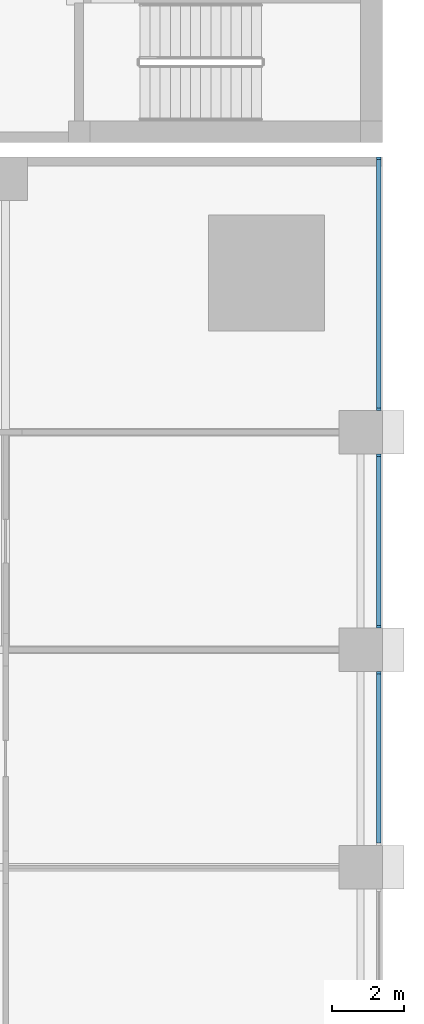
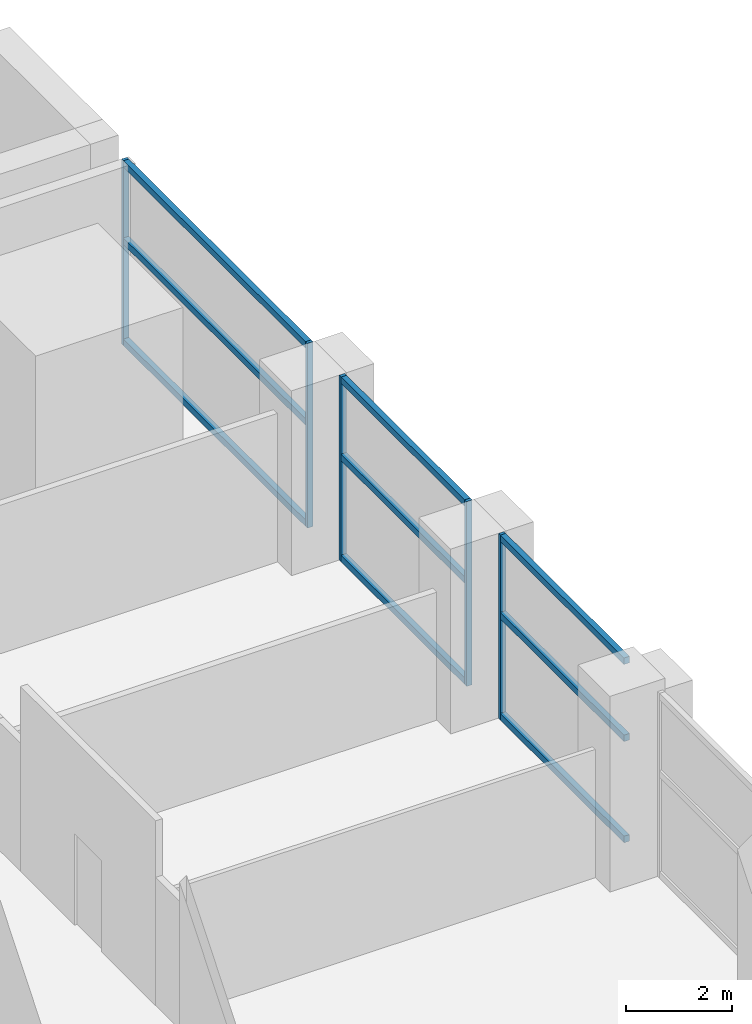
# One storey, part 7 of 24: 14 members, 3 elements without a shape of their own.
"""IFC4 building model written with IfcOpenShell, lengths in metres."""

from ifc_helpers import new_model, si_unit, direction, frame, origin, origin_2d, place, context, subcontext, project, spatial, rectangle, extrude, material, material_profile, profile_set, type_object, element, aggregate, save


model = new_model("IFC4")

# Units and contexts
model_context = context("Model", 3, precision=1e-05, world=origin(), true_north=direction((0.0, 1.0)))
body_context = subcontext(model_context, "Body", "Model", "MODEL_VIEW")
ifc_project = project(units=[si_unit("LENGTHUNIT", "METRE"), si_unit("AREAUNIT", "SQUARE_METRE"), si_unit("VOLUMEUNIT", "CUBIC_METRE"), si_unit("PLANEANGLEUNIT", "RADIAN"), si_unit("MASSUNIT", "GRAM", prefix="KILO")], contexts=[model_context])

# Site, building, storey
site_placement = place(None, origin())
site = spatial("IfcSite", under=ifc_project, at=site_placement, CompositionType="ELEMENT")
building_placement = place(site_placement, origin())
building = spatial("IfcBuilding", under=site, at=building_placement, Name="Amberfall Residences", CompositionType="ELEMENT")
storey_placement = place(building_placement, frame((0.0, 0.0, 19.0)))
storey = spatial("IfcBuildingStorey", under=building, at=storey_placement, Name="L04", CompositionType="ELEMENT", Elevation=19.0)

# Curtain wall, member
ifc_material_1 = material(Name="Bronze anodised aluminium and glass", Category="aluminium")
curtain_wall_type = type_object("IfcCurtainWallType", Name="Curtain wall CW4 podium storefront", PredefinedType="USERDEFINED", material=ifc_material_1)
curtain_wall_1_placement = place(storey_placement, origin())
curtain_wall_1 = element("IfcCurtainWall", 1, at=curtain_wall_1_placement, inside=storey, type_object=curtain_wall_type, Name="Storefront L04 E5", ObjectType="UNITISED CURTAIN WALL", PredefinedType="USERDEFINED")
ifc_material_2 = material(Name="Bronze anodised aluminium", Category="aluminium")
ifc_material_profile_1 = material_profile(ifc_material_2, rectangle(XDim=0.1201171875, YDim=0.070068359375, at=origin_2d()), Name="CW4 mullion 70 x 120 bronze")
ifc_profile_set_1 = profile_set([ifc_material_profile_1], Name="Bronze anodised aluminium")
member_type_1 = type_object("IfcMemberType", Name="CW4 mullion 70 x 120 bronze", PredefinedType="MULLION", material=ifc_profile_set_1)
member_1_placement = place(storey_placement, frame((99.89990234375, 53.764892578125, 0.0), z_axis=(0.0, 0.0, 1.0), x_axis=(-1.0, 0.0, 0.0)))
member_1 = element("IfcMember", 2, at=member_1_placement, type_object=member_type_1, Name="CW4 mullion 2", PredefinedType="MULLION", context=body_context, shape_type="SweptSolid", body=[
    extrude(rectangle(XDim=0.1201171875, YDim=0.070068359375, at=origin_2d()), origin(), (0.0, 0.0, 1.0), 4.25),
])

# Curtain wall, members
curtain_wall_2_placement = place(storey_placement, origin())
curtain_wall_2 = element("IfcCurtainWall", 3, at=curtain_wall_2_placement, inside=storey, type_object=curtain_wall_type, Name="Storefront L04 E6", ObjectType="UNITISED CURTAIN WALL", PredefinedType="USERDEFINED")
member_2_placement = place(storey_placement, frame((99.89990234375, 55.034912109375, 0.0), z_axis=(0.0, 0.0, 1.0), x_axis=(-1.0, 0.0, 0.0)))
member_2 = element("IfcMember", 4, at=member_2_placement, type_object=member_type_1, Name="CW4 mullion 1", PredefinedType="MULLION", context=body_context, shape_type="SweptSolid", body=[
    extrude(rectangle(XDim=0.1201171875, YDim=0.070068359375, at=origin_2d()), origin(), (0.0, 0.0, 1.0), 4.25),
])
member_3_placement = place(storey_placement, frame((99.89990234375, 59.764892578125, 0.0), z_axis=(0.0, 0.0, 1.0), x_axis=(-1.0, 0.0, 0.0)))
member_3 = element("IfcMember", 5, at=member_3_placement, type_object=member_type_1, Name="CW4 mullion 2", PredefinedType="MULLION", context=body_context, shape_type="SweptSolid", body=[
    extrude(rectangle(XDim=0.1201171875, YDim=0.070068359375, at=origin_2d()), origin(), (0.0, 0.0, 1.0), 4.25),
])

curtain_wall_3_placement = place(storey_placement, origin())
curtain_wall_3 = element("IfcCurtainWall", 6, at=curtain_wall_3_placement, inside=storey, type_object=curtain_wall_type, Name="Storefront L04 E7", ObjectType="UNITISED CURTAIN WALL", PredefinedType="USERDEFINED")
member_4_placement = place(storey_placement, frame((99.89990234375, 61.034912109375, 0.0), z_axis=(0.0, 0.0, 1.0), x_axis=(-1.0, 0.0, 0.0)))
member_4 = element("IfcMember", 7, at=member_4_placement, type_object=member_type_1, Name="CW4 mullion 1", PredefinedType="MULLION", context=body_context, shape_type="SweptSolid", body=[
    extrude(rectangle(XDim=0.1201171875, YDim=0.070068359375, at=origin_2d()), origin(), (0.0, 0.0, 1.0), 4.25),
])
member_5_placement = place(storey_placement, frame((99.89990234375, 67.965087890625, 0.0), z_axis=(0.0, 0.0, 1.0), x_axis=(-1.0, 0.0, 0.0)))
member_5 = element("IfcMember", 8, at=member_5_placement, type_object=member_type_1, Name="CW4 mullion 2", PredefinedType="MULLION", context=body_context, shape_type="SweptSolid", body=[
    extrude(rectangle(XDim=0.1201171875, YDim=0.070068359375, at=origin_2d()), origin(), (0.0, 0.0, 1.0), 4.25),
])

# Member
ifc_material_profile_2 = material_profile(ifc_material_2, rectangle(XDim=0.1201171875, YDim=0.14990234375, at=origin_2d()), Name="CW4 transom 120 x 150 bronze")
ifc_profile_set_2 = profile_set([ifc_material_profile_2], Name="Bronze anodised aluminium")
member_type_2 = type_object("IfcMemberType", Name="CW4 transom 120 x 150 bronze", PredefinedType="USERDEFINED", material=ifc_profile_set_2)
member_6_placement = place(storey_placement, frame((99.89990234375, 49.070068359375, 0.074951171875), z_axis=(0.0, 1.0, 0.0), x_axis=(-1.0, 0.0, 0.0)))
member_6 = element("IfcMember", 9, at=member_6_placement, type_object=member_type_2, Name="CW4 transom 1.1", ObjectType="TRANSOM", PredefinedType="USERDEFINED", context=body_context, shape_type="SweptSolid", body=[
    extrude(rectangle(XDim=0.1201171875, YDim=0.14990234375, at=origin_2d()), origin(), (0.0, 0.0, 1.0), 4.659912109375),
])

member_7_placement = place(storey_placement, frame((99.89990234375, 49.070068359375, 2.39990234375), z_axis=(0.0, 1.0, 0.0), x_axis=(-1.0, 0.0, 0.0)))
member_7 = element("IfcMember", 10, at=member_7_placement, type_object=member_type_2, Name="CW4 transom 1.2", ObjectType="TRANSOM", PredefinedType="USERDEFINED", context=body_context, shape_type="SweptSolid", body=[
    extrude(rectangle(XDim=0.1201171875, YDim=0.14990234375, at=origin_2d()), origin(), (0.0, 0.0, 1.0), 4.659912109375),
])

member_8_placement = place(storey_placement, frame((99.89990234375, 49.070068359375, 4.175048828125), z_axis=(0.0, 1.0, 0.0), x_axis=(-1.0, 0.0, 0.0)))
member_8 = element("IfcMember", 11, at=member_8_placement, type_object=member_type_2, Name="CW4 transom 1.3", ObjectType="TRANSOM", PredefinedType="USERDEFINED", context=body_context, shape_type="SweptSolid", body=[
    extrude(rectangle(XDim=0.1201171875, YDim=0.14990234375, at=origin_2d()), origin(), (0.0, 0.0, 1.0), 4.659912109375),
])

aggregate(curtain_wall_1, [member_1, member_6, member_7, member_8])

member_9_placement = place(storey_placement, frame((99.89990234375, 55.070068359375, 0.074951171875), z_axis=(0.0, 1.0, 0.0), x_axis=(-1.0, 0.0, 0.0)))
member_9 = element("IfcMember", 12, at=member_9_placement, type_object=member_type_2, Name="CW4 transom 1.1", ObjectType="TRANSOM", PredefinedType="USERDEFINED", context=body_context, shape_type="SweptSolid", body=[
    extrude(rectangle(XDim=0.1201171875, YDim=0.14990234375, at=origin_2d()), origin(), (0.0, 0.0, 1.0), 4.659912109375),
])

member_10_placement = place(storey_placement, frame((99.89990234375, 55.070068359375, 2.39990234375), z_axis=(0.0, 1.0, 0.0), x_axis=(-1.0, 0.0, 0.0)))
member_10 = element("IfcMember", 13, at=member_10_placement, type_object=member_type_2, Name="CW4 transom 1.2", ObjectType="TRANSOM", PredefinedType="USERDEFINED", context=body_context, shape_type="SweptSolid", body=[
    extrude(rectangle(XDim=0.1201171875, YDim=0.14990234375, at=origin_2d()), origin(), (0.0, 0.0, 1.0), 4.659912109375),
])

member_11_placement = place(storey_placement, frame((99.89990234375, 55.070068359375, 4.175048828125), z_axis=(0.0, 1.0, 0.0), x_axis=(-1.0, 0.0, 0.0)))
member_11 = element("IfcMember", 14, at=member_11_placement, type_object=member_type_2, Name="CW4 transom 1.3", ObjectType="TRANSOM", PredefinedType="USERDEFINED", context=body_context, shape_type="SweptSolid", body=[
    extrude(rectangle(XDim=0.1201171875, YDim=0.14990234375, at=origin_2d()), origin(), (0.0, 0.0, 1.0), 4.659912109375),
])

aggregate(curtain_wall_2, [member_2, member_3, member_9, member_10, member_11])

member_12_placement = place(storey_placement, frame((99.89990234375, 61.070068359375, 0.074951171875), z_axis=(0.0, 1.0, 0.0), x_axis=(-1.0, 0.0, 0.0)))
member_12 = element("IfcMember", 15, at=member_12_placement, type_object=member_type_2, Name="CW4 transom 1.1", ObjectType="TRANSOM", PredefinedType="USERDEFINED", context=body_context, shape_type="SweptSolid", body=[
    extrude(rectangle(XDim=0.1201171875, YDim=0.14990234375, at=origin_2d()), origin(), (0.0, 0.0, 1.0), 6.85986328125),
])

member_13_placement = place(storey_placement, frame((99.89990234375, 61.070068359375, 2.39990234375), z_axis=(0.0, 1.0, 0.0), x_axis=(-1.0, 0.0, 0.0)))
member_13 = element("IfcMember", 16, at=member_13_placement, type_object=member_type_2, Name="CW4 transom 1.2", ObjectType="TRANSOM", PredefinedType="USERDEFINED", context=body_context, shape_type="SweptSolid", body=[
    extrude(rectangle(XDim=0.1201171875, YDim=0.14990234375, at=origin_2d()), origin(), (0.0, 0.0, 1.0), 6.85986328125),
])

member_14_placement = place(storey_placement, frame((99.89990234375, 61.070068359375, 4.175048828125), z_axis=(0.0, 1.0, 0.0), x_axis=(-1.0, 0.0, 0.0)))
member_14 = element("IfcMember", 17, at=member_14_placement, type_object=member_type_2, Name="CW4 transom 1.3", ObjectType="TRANSOM", PredefinedType="USERDEFINED", context=body_context, shape_type="SweptSolid", body=[
    extrude(rectangle(XDim=0.1201171875, YDim=0.14990234375, at=origin_2d()), origin(), (0.0, 0.0, 1.0), 6.85986328125),
])

aggregate(curtain_wall_3, [member_4, member_5, member_12, member_13, member_14])

save(model, "model.ifc")
